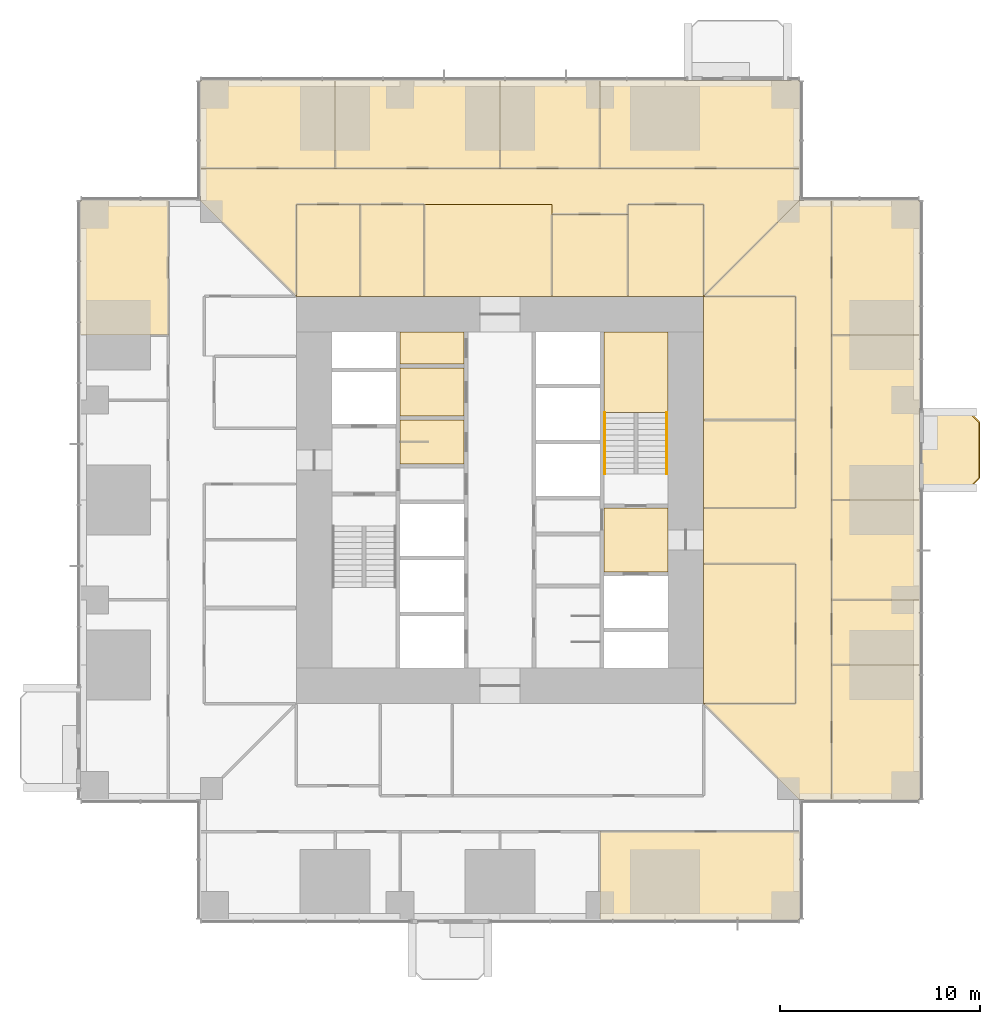
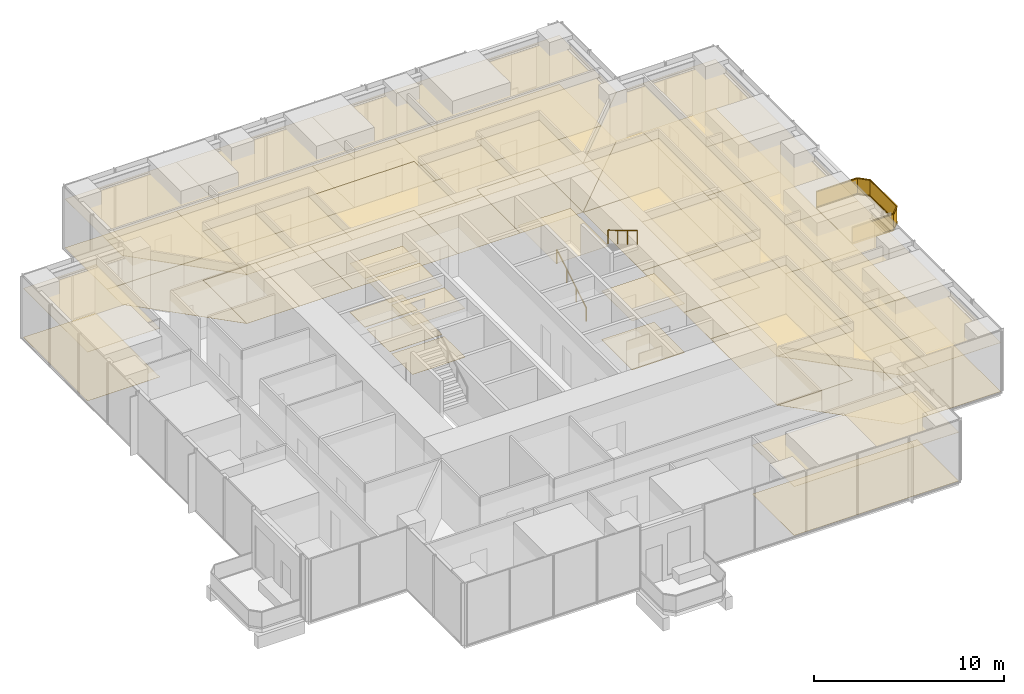
# One storey, part 16 of 18: 52 coverings, 3 railings.
"""IFC4 building model written with IfcOpenShell, lengths in metres."""

from ifc_helpers import new_model, si_unit, direction, frame, origin, origin_2d, place, context, subcontext, project, spatial, polyline, rectangle, circle, outline, extrude, material, layer, layer_set, type_object, element, save


model = new_model("IFC4")

# Units and contexts
model_context = context("Model", 3, precision=1e-05, world=origin(), true_north=direction((0.0, 1.0)))
body_context = subcontext(model_context, "Body", "Model", "MODEL_VIEW")
ifc_project = project(units=[si_unit("LENGTHUNIT", "METRE"), si_unit("AREAUNIT", "SQUARE_METRE"), si_unit("VOLUMEUNIT", "CUBIC_METRE"), si_unit("PLANEANGLEUNIT", "RADIAN"), si_unit("MASSUNIT", "GRAM", prefix="KILO")], contexts=[model_context])

# Site, building, storey
site_placement = place(None, origin())
site = spatial("IfcSite", under=ifc_project, at=site_placement, CompositionType="ELEMENT")
building_placement = place(site_placement, origin())
building = spatial("IfcBuilding", under=site, at=building_placement, Name="Svetlomir Tower", CompositionType="ELEMENT")
storey_placement = place(building_placement, frame((0.0, 0.0, 78.5)))
storey = spatial("IfcBuildingStorey", under=building, at=storey_placement, Name="L18", CompositionType="ELEMENT", Elevation=78.5)

# Railing
ifc_material_1 = material(Name="Bronze anodised aluminium and laminated glass", Category="aluminium")
railing_type_1 = type_object("IfcRailingType", Name="BALCONY GUARD GR1 1100", PredefinedType="GUARDRAIL", material=ifc_material_1)
railing_1_placement = place(storey_placement, frame((42.0, 21.60009765625, 0.0)))
element("IfcRailing", 1, at=railing_1_placement, inside=storey, type_object=railing_type_1, Name="Balcony guard E L18", PredefinedType="GUARDRAIL", context=body_context, shape_type="SweptSolid", body=[
    extrude(rectangle(XDim=0.06005859375, YDim=0.10009765625, at=origin_2d()), frame((0.0, 0.0, 0.050048828125), z_axis=(1.0, 0.0, 0.0), x_axis=(0.0, 1.0, 0.0)), (0.0, 0.0, 1.0), 2.5),
    extrude(rectangle(XDim=0.021484375, YDim=0.960205078125, at=origin_2d()), frame((0.0, 0.0, 0.580078125), z_axis=(1.0, 0.0, 0.0), x_axis=(0.0, 1.0, 0.0)), (0.0, 0.0, 1.0), 2.5),
    extrude(rectangle(XDim=0.06005859375, YDim=0.0400390625, at=origin_2d()), frame((0.0, 0.0, 1.080078125), z_axis=(1.0, 0.0, 0.0), x_axis=(0.0, 1.0, 0.0)), (0.0, 0.0, 1.0), 2.5),
    extrude(rectangle(XDim=0.06005859375, YDim=0.10009765625, at=origin_2d()), frame((2.5, 0.0, 0.050048828125), z_axis=(0.707106781187, 0.707106781187, 0.0), x_axis=(-0.707106781187, 0.707106781187, 0.0)), (0.0, 0.0, 1.0), 0.70703125),
    extrude(rectangle(XDim=0.021484375, YDim=0.960205078125, at=origin_2d()), frame((2.5, 0.0, 0.580078125), z_axis=(0.707106781187, 0.707106781187, 0.0), x_axis=(-0.707106781187, 0.707106781187, 0.0)), (0.0, 0.0, 1.0), 0.70703125),
    extrude(rectangle(XDim=0.06005859375, YDim=0.0400390625, at=origin_2d()), frame((2.5, 0.0, 1.080078125), z_axis=(0.707106781187, 0.707106781187, 0.0), x_axis=(-0.707106781187, 0.707106781187, 0.0)), (0.0, 0.0, 1.0), 0.70703125),
    extrude(rectangle(XDim=0.06005859375, YDim=0.10009765625, at=origin_2d()), frame((3.0, 0.5, 0.050048828125), z_axis=(0.0, 1.0, 0.0), x_axis=(-1.0, 0.0, 0.0)), (0.0, 0.0, 1.0), 2.7998046875),
    extrude(rectangle(XDim=0.021484375, YDim=0.960205078125, at=origin_2d()), frame((3.0, 0.5, 0.580078125), z_axis=(0.0, 1.0, 0.0), x_axis=(-1.0, 0.0, 0.0)), (0.0, 0.0, 1.0), 2.7998046875),
    extrude(rectangle(XDim=0.06005859375, YDim=0.0400390625, at=origin_2d()), frame((3.0, 0.5, 1.080078125), z_axis=(0.0, 1.0, 0.0), x_axis=(-1.0, 0.0, 0.0)), (0.0, 0.0, 1.0), 2.7998046875),
    extrude(rectangle(XDim=0.06005859375, YDim=0.10009765625, at=origin_2d()), frame((3.0, 3.2998046875, 0.050048828125), z_axis=(-0.707106781187, 0.707106781187, 0.0), x_axis=(-0.707106781187, -0.707106781187, 0.0)), (0.0, 0.0, 1.0), 0.70703125),
    extrude(rectangle(XDim=0.021484375, YDim=0.960205078125, at=origin_2d()), frame((3.0, 3.2998046875, 0.580078125), z_axis=(-0.707106781187, 0.707106781187, 0.0), x_axis=(-0.707106781187, -0.707106781187, 0.0)), (0.0, 0.0, 1.0), 0.70703125),
    extrude(rectangle(XDim=0.06005859375, YDim=0.0400390625, at=origin_2d()), frame((3.0, 3.2998046875, 1.080078125), z_axis=(-0.707106781187, 0.707106781187, 0.0), x_axis=(-0.707106781187, -0.707106781187, 0.0)), (0.0, 0.0, 1.0), 0.70703125),
    extrude(rectangle(XDim=0.06005859375, YDim=0.10009765625, at=origin_2d()), frame((2.5, 3.7998046875, 0.050048828125), z_axis=(-1.0, 0.0, 0.0), x_axis=(0.0, -1.0, 0.0)), (0.0, 0.0, 1.0), 2.5),
    extrude(rectangle(XDim=0.021484375, YDim=0.960205078125, at=origin_2d()), frame((2.5, 3.7998046875, 0.580078125), z_axis=(-1.0, 0.0, 0.0), x_axis=(0.0, -1.0, 0.0)), (0.0, 0.0, 1.0), 2.5),
    extrude(rectangle(XDim=0.06005859375, YDim=0.0400390625, at=origin_2d()), frame((2.5, 3.7998046875, 1.080078125), z_axis=(-1.0, 0.0, 0.0), x_axis=(0.0, -1.0, 0.0)), (0.0, 0.0, 1.0), 2.5),
])

# Coverings
ifc_material_2 = material(Name="Granite paving slabs on pedestals", Category="masonry")
ifc_layer_1 = layer(ifc_material_2, 0.0400390625)
ifc_layer_set_1 = layer_set([ifc_layer_1], Name="Granite paving slabs on pedestals")
covering_type_1 = type_object("IfcCoveringType", Name="BALCONY PAVING 40", PredefinedType="USERDEFINED", material=ifc_layer_set_1)
covering_1_placement = place(storey_placement, origin())
element("IfcCovering", 2, at=covering_1_placement, inside=storey, type_object=covering_type_1, Name="Balcony paving E L18", ObjectType="BALCONY PAVING", PredefinedType="USERDEFINED", context=body_context, shape_type="SweptSolid", body=[
    extrude(outline(polyline([(42.0, 21.60009765625), (44.5, 21.60009765625), (45.0, 22.10009765625), (45.0, 24.89990234375), (44.5, 25.39990234375), (42.0, 25.39990234375), (42.0, 21.60009765625)])), origin(), (0.0, 0.0, 1.0), 0.0400390625),
])
ifc_material_3 = material(Name="Carpet tile", Category="textile")
ifc_layer_2 = layer(ifc_material_3, 0.010009765625)
ifc_layer_set_2 = layer_set([ifc_layer_2], Name="Carpet tile")
covering_type_2 = type_object("IfcCoveringType", Name="CARPET TILE FLOOR 10", PredefinedType="FLOORING", material=ifc_layer_set_2)
covering_2_placement = place(storey_placement, origin())
element("IfcCovering", 3, at=covering_2_placement, inside=storey, type_object=covering_type_2, Name="Floor finish L18-18", PredefinedType="FLOORING", context=body_context, shape_type="SweptSolid", body=[
    extrude(outline(polyline([(31.199951171875, 20.60009765625), (35.800048828125, 20.60009765625), (35.800048828125, 25.0), (31.199951171875, 25.0), (31.199951171875, 20.60009765625)])), origin(), (0.0, 0.0, 1.0), 0.010009765625),
])
covering_3_placement = place(storey_placement, origin())
element("IfcCovering", 4, at=covering_3_placement, inside=storey, type_object=covering_type_2, Name="Floor finish L18-19", PredefinedType="FLOORING", context=body_context, shape_type="SweptSolid", body=[
    extrude(outline(polyline([(31.199951171875, 25.0), (35.800048828125, 25.0), (35.800048828125, 31.199951171875), (31.199951171875, 31.199951171875), (31.199951171875, 25.0)])), origin(), (0.0, 0.0, 1.0), 0.010009765625),
])
covering_4_placement = place(storey_placement, origin())
element("IfcCovering", 5, at=covering_4_placement, inside=storey, type_object=covering_type_2, Name="Floor finish L18-20", PredefinedType="FLOORING", context=body_context, shape_type="SweptSolid", body=[
    extrude(outline(polyline([(37.60009765625, 6.0), (42.0, 6.0), (42.0, 12.75), (37.60009765625, 12.75), (37.60009765625, 6.0)])), origin(), (0.0, 0.0, 1.0), 0.010009765625),
])
covering_5_placement = place(storey_placement, origin())
element("IfcCovering", 6, at=covering_5_placement, inside=storey, type_object=covering_type_2, Name="Floor finish L18-21", PredefinedType="FLOORING", context=body_context, shape_type="SweptSolid", body=[
    extrude(outline(polyline([(37.60009765625, 16.0), (42.0, 16.0), (42.0, 21.0), (37.60009765625, 21.0), (37.60009765625, 16.0)])), origin(), (0.0, 0.0, 1.0), 0.010009765625),
])
covering_6_placement = place(storey_placement, origin())
element("IfcCovering", 7, at=covering_6_placement, inside=storey, type_object=covering_type_2, Name="Floor finish L18-22", PredefinedType="FLOORING", context=body_context, shape_type="SweptSolid", body=[
    extrude(outline(polyline([(37.60009765625, 29.25), (42.0, 29.25), (42.0, 36.0), (37.60009765625, 36.0), (37.60009765625, 29.25)])), origin(), (0.0, 0.0, 1.0), 0.010009765625),
])
covering_7_placement = place(storey_placement, origin())
element("IfcCovering", 8, at=covering_7_placement, inside=storey, type_object=covering_type_2, Name="Floor finish L18-23", PredefinedType="FLOORING", context=body_context, shape_type="SweptSolid", body=[
    extrude(outline(polyline([(10.800048828125, 31.199951171875), (14.0, 31.199951171875), (14.0, 35.800048828125), (10.800048828125, 35.800048828125), (10.800048828125, 31.199951171875)])), origin(), (0.0, 0.0, 1.0), 0.010009765625),
])
covering_8_placement = place(storey_placement, origin())
element("IfcCovering", 9, at=covering_8_placement, inside=storey, type_object=covering_type_2, Name="Floor finish L18-24", PredefinedType="FLOORING", context=body_context, shape_type="SweptSolid", body=[
    extrude(outline(polyline([(14.0, 31.199951171875), (17.199951171875, 31.199951171875), (17.199951171875, 35.800048828125), (14.0, 35.800048828125), (14.0, 31.199951171875)])), origin(), (0.0, 0.0, 1.0), 0.010009765625),
])
covering_9_placement = place(storey_placement, origin())
element("IfcCovering", 10, at=covering_9_placement, inside=storey, type_object=covering_type_2, Name="Floor finish L18-25", PredefinedType="FLOORING", context=body_context, shape_type="SweptSolid", body=[
    extrude(outline(polyline([(23.60009765625, 31.199951171875), (27.39990234375, 31.199951171875), (27.39990234375, 35.300048828125), (23.60009765625, 35.300048828125), (23.60009765625, 31.199951171875)])), origin(), (0.0, 0.0, 1.0), 0.010009765625),
])
covering_10_placement = place(storey_placement, origin())
element("IfcCovering", 11, at=covering_10_placement, inside=storey, type_object=covering_type_2, Name="Floor finish L18-26", PredefinedType="FLOORING", context=body_context, shape_type="SweptSolid", body=[
    extrude(outline(polyline([(27.39990234375, 31.199951171875), (31.199951171875, 31.199951171875), (31.199951171875, 35.800048828125), (27.39990234375, 35.800048828125), (27.39990234375, 31.199951171875)])), origin(), (0.0, 0.0, 1.0), 0.010009765625),
])
covering_11_placement = place(storey_placement, origin())
element("IfcCovering", 12, at=covering_11_placement, inside=storey, type_object=covering_type_2, Name="Floor finish L18-27", PredefinedType="FLOORING", context=body_context, shape_type="SweptSolid", body=[
    extrude(outline(polyline([(6.0, 37.60009765625), (12.75, 37.60009765625), (12.75, 42.0), (6.0, 42.0), (6.0, 37.60009765625)])), origin(), (0.0, 0.0, 1.0), 0.010009765625),
])
covering_12_placement = place(storey_placement, origin())
element("IfcCovering", 13, at=covering_12_placement, inside=storey, type_object=covering_type_2, Name="Floor finish L18-28", PredefinedType="FLOORING", context=body_context, shape_type="SweptSolid", body=[
    extrude(outline(polyline([(21.0, 37.60009765625), (26.0, 37.60009765625), (26.0, 42.0), (21.0, 42.0), (21.0, 37.60009765625)])), origin(), (0.0, 0.0, 1.0), 0.010009765625),
])
covering_13_placement = place(storey_placement, origin())
element("IfcCovering", 14, at=covering_13_placement, inside=storey, type_object=covering_type_2, Name="Floor finish L18-35", PredefinedType="FLOORING", context=body_context, shape_type="SweptSolid", body=[
    extrude(outline(polyline([(31.199951171875, 20.60009765625), (35.800048828125, 20.60009765625), (35.800048828125, 31.199951171875), (31.199951171875, 31.199951171875), (36.0, 36.0), (37.60009765625, 36.0), (37.60009765625, 6.0), (36.0, 6.0), (31.199951171875, 10.800048828125), (35.800048828125, 10.800048828125), (35.800048828125, 17.800048828125), (31.199951171875, 17.800048828125), (31.199951171875, 20.60009765625)])), origin(), (0.0, 0.0, 1.0), 0.010009765625),
])
covering_14_placement = place(storey_placement, origin())
element("IfcCovering", 15, at=covering_14_placement, inside=storey, type_object=covering_type_2, Name="Floor finish L18-36", PredefinedType="FLOORING", context=body_context, shape_type="SweptSolid", body=[
    extrude(outline(polyline([(6.0, 37.60009765625), (36.0, 37.60009765625), (36.0, 36.0), (31.199951171875, 31.199951171875), (31.199951171875, 35.800048828125), (27.39990234375, 35.800048828125), (27.39990234375, 35.300048828125), (23.60009765625, 35.300048828125), (23.60009765625, 35.800048828125), (10.800048828125, 35.800048828125), (10.800048828125, 31.199951171875), (6.0, 36.0), (6.0, 37.60009765625)])), origin(), (0.0, 0.0, 1.0), 0.010009765625),
])
covering_15_placement = place(storey_placement, origin())
element("IfcCovering", 16, at=covering_15_placement, inside=storey, type_object=covering_type_2, Name="Floor finish L18-39", PredefinedType="FLOORING", context=body_context, shape_type="SweptSolid", body=[
    extrude(outline(polyline([(26.0, 0.0), (26.0, 4.39990234375), (36.0, 4.39990234375), (36.0, 0.0), (26.0, 0.0)])), origin(), (0.0, 0.0, 1.0), 0.010009765625),
])
covering_16_placement = place(storey_placement, origin())
element("IfcCovering", 17, at=covering_16_placement, inside=storey, type_object=covering_type_2, Name="Floor finish L18-41", PredefinedType="FLOORING", context=body_context, shape_type="SweptSolid", body=[
    extrude(outline(polyline([(42.0, 21.0), (37.60009765625, 21.0), (37.60009765625, 29.25), (42.0, 29.25), (42.0, 21.0)])), origin(), (0.0, 0.0, 1.0), 0.010009765625),
])
covering_17_placement = place(storey_placement, origin())
element("IfcCovering", 18, at=covering_17_placement, inside=storey, type_object=covering_type_2, Name="Floor finish L18-42", PredefinedType="FLOORING", context=body_context, shape_type="SweptSolid", body=[
    extrude(outline(polyline([(42.0, 12.75), (37.60009765625, 12.75), (37.60009765625, 16.0), (42.0, 16.0), (42.0, 12.75)])), origin(), (0.0, 0.0, 1.0), 0.010009765625),
])
covering_18_placement = place(storey_placement, origin())
element("IfcCovering", 19, at=covering_18_placement, inside=storey, type_object=covering_type_2, Name="Floor finish L18-43", PredefinedType="FLOORING", context=body_context, shape_type="SweptSolid", body=[
    extrude(outline(polyline([(31.199951171875, 10.800048828125), (31.199951171875, 17.800048828125), (35.800048828125, 17.800048828125), (35.800048828125, 10.800048828125), (31.199951171875, 10.800048828125)])), origin(), (0.0, 0.0, 1.0), 0.010009765625),
])
covering_19_placement = place(storey_placement, origin())
element("IfcCovering", 20, at=covering_19_placement, inside=storey, type_object=covering_type_2, Name="Floor finish L18-44", PredefinedType="FLOORING", context=body_context, shape_type="SweptSolid", body=[
    extrude(outline(polyline([(12.75, 37.60009765625), (12.75, 42.0), (21.0, 42.0), (21.0, 37.60009765625), (12.75, 37.60009765625)])), origin(), (0.0, 0.0, 1.0), 0.010009765625),
])
covering_20_placement = place(storey_placement, origin())
element("IfcCovering", 21, at=covering_20_placement, inside=storey, type_object=covering_type_2, Name="Floor finish L18-45", PredefinedType="FLOORING", context=body_context, shape_type="SweptSolid", body=[
    extrude(outline(polyline([(26.0, 37.60009765625), (26.0, 42.0), (36.0, 42.0), (36.0, 37.60009765625), (26.0, 37.60009765625)])), origin(), (0.0, 0.0, 1.0), 0.010009765625),
])
covering_21_placement = place(storey_placement, origin())
element("IfcCovering", 22, at=covering_21_placement, inside=storey, type_object=covering_type_2, Name="Floor finish L18-46", PredefinedType="FLOORING", context=body_context, shape_type="SweptSolid", body=[
    extrude(outline(polyline([(17.199951171875, 31.199951171875), (17.199951171875, 35.800048828125), (23.60009765625, 35.800048828125), (23.60009765625, 31.199951171875), (17.199951171875, 31.199951171875)])), origin(), (0.0, 0.0, 1.0), 0.010009765625),
])
covering_22_placement = place(storey_placement, origin())
element("IfcCovering", 23, at=covering_22_placement, inside=storey, type_object=covering_type_2, Name="Floor finish L18-49", PredefinedType="FLOORING", context=body_context, shape_type="SweptSolid", body=[
    extrude(outline(polyline([(0.0, 36.0), (4.39990234375, 36.0), (4.39990234375, 29.25), (0.0, 29.25), (0.0, 36.0)])), origin(), (0.0, 0.0, 1.0), 0.010009765625),
])
ifc_material_4 = material(Name="Ceramic floor tile", Category="ceramic")
ifc_layer_3 = layer(ifc_material_4, 0.014892578125)
ifc_layer_set_3 = layer_set([ifc_layer_3], Name="Ceramic floor tile")
covering_type_3 = type_object("IfcCoveringType", Name="CERAMIC TILE FLOOR 15", PredefinedType="FLOORING", material=ifc_layer_set_3)
covering_23_placement = place(storey_placement, origin())
element("IfcCovering", 24, at=covering_23_placement, inside=storey, type_object=covering_type_3, Name="Floor finish L18-04", PredefinedType="FLOORING", context=body_context, shape_type="SweptSolid", body=[
    extrude(outline(polyline([(16.0, 22.800048828125), (19.199951171875, 22.800048828125), (19.199951171875, 25.0), (16.0, 25.0), (16.0, 22.800048828125)])), origin(), (0.0, 0.0, 1.0), 0.014892578125),
])
covering_24_placement = place(storey_placement, origin())
element("IfcCovering", 25, at=covering_24_placement, inside=storey, type_object=covering_type_3, Name="Floor finish L18-05", PredefinedType="FLOORING", context=body_context, shape_type="SweptSolid", body=[
    extrude(outline(polyline([(16.0, 25.199951171875), (19.199951171875, 25.199951171875), (19.199951171875, 27.60009765625), (16.0, 27.60009765625), (16.0, 25.199951171875)])), origin(), (0.0, 0.0, 1.0), 0.014892578125),
])

# Railings
ifc_material_5 = material(Name="Stainless steel", Category="steel")
railing_type_2 = type_object("IfcRailingType", Name="HANDRAIL HR1 900", PredefinedType="HANDRAIL", material=ifc_material_5)
railing_2_placement = place(storey_placement, frame((26.25, 22.300048828125, 0.166748046875)))
element("IfcRailing", 26, at=railing_2_placement, inside=storey, type_object=railing_type_2, Name="Handrail S2 flight 1 L18", PredefinedType="HANDRAIL", context=body_context, shape_type="SweptSolid", body=[
    extrude(circle(Radius=0.02392578125, at=origin_2d()), frame((0.0, 0.0, 0.8759765625), z_axis=(0.0, 0.859290745958, 0.51148745235), x_axis=(-1.0, 0.0, 0.0)), (0.0, 0.0, 1.0), 3.584228515625),
    extrude(circle(Radius=0.02099609375, at=origin_2d()), origin(), (0.0, 0.0, 1.0), 0.851806640625),
    extrude(circle(Radius=0.02099609375, at=origin_2d()), frame((0.0, 1.026611328125, 0.611083984375)), (0.0, 0.0, 1.0), 0.851806640625),
    extrude(circle(Radius=0.02099609375, at=origin_2d()), frame((0.0, 2.05322265625, 1.22216796875)), (0.0, 0.0, 1.0), 0.851806640625),
    extrude(circle(Radius=0.02099609375, at=origin_2d()), frame((0.0, 3.079833984375, 1.833251953125)), (0.0, 0.0, 1.0), 0.851806640625),
])
railing_3_placement = place(storey_placement, frame((29.35009765625, 25.3798828125, 2.166748046875)))
element("IfcRailing", 27, at=railing_3_placement, inside=storey, type_object=railing_type_2, Name="Handrail S2 flight 2 L18", PredefinedType="HANDRAIL", context=body_context, shape_type="SweptSolid", body=[
    extrude(circle(Radius=0.02392578125, at=origin_2d()), frame((0.0, 0.0, 0.8759765625), z_axis=(0.0, -0.859290745958, 0.51148745235), x_axis=(1.0, 0.0, 0.0)), (0.0, 0.0, 1.0), 3.584228515625),
    extrude(circle(Radius=0.02099609375, at=origin_2d()), origin(), (0.0, 0.0, 1.0), 0.851806640625),
    extrude(circle(Radius=0.02099609375, at=origin_2d()), frame((0.0, -1.026611328125, 0.611083984375)), (0.0, 0.0, 1.0), 0.851806640625),
    extrude(circle(Radius=0.02099609375, at=origin_2d()), frame((0.0, -2.05322265625, 1.22216796875)), (0.0, 0.0, 1.0), 0.851806640625),
    extrude(circle(Radius=0.02099609375, at=origin_2d()), frame((0.0, -3.079833984375, 1.833251953125)), (0.0, 0.0, 1.0), 0.851806640625),
])

# Coverings
ifc_material_6 = material(Name="Moisture resistant plasterboard ceiling", Category="gypsum")
ifc_layer_4 = layer(ifc_material_6, 0.012451171875)
ifc_layer_set_4 = layer_set([ifc_layer_4], Name="Moisture resistant plasterboard ceiling")
covering_type_4 = type_object("IfcCoveringType", Name="MOISTURE RESISTANT CEILING 12.5", PredefinedType="CEILING", material=ifc_layer_set_4)
covering_25_placement = place(storey_placement, frame((0.0, 0.0, 3.137451171875)))
element("IfcCovering", 28, at=covering_25_placement, inside=storey, type_object=covering_type_4, Name="Ceiling L18-04", PredefinedType="CEILING", context=body_context, shape_type="SweptSolid", body=[
    extrude(outline(polyline([(16.0, 22.800048828125), (19.199951171875, 22.800048828125), (19.199951171875, 25.0), (16.0, 25.0), (16.0, 22.800048828125)])), origin(), (0.0, 0.0, 1.0), 0.012451171875),
])
covering_26_placement = place(storey_placement, frame((0.0, 0.0, 3.137451171875)))
element("IfcCovering", 29, at=covering_26_placement, inside=storey, type_object=covering_type_4, Name="Ceiling L18-05", PredefinedType="CEILING", context=body_context, shape_type="SweptSolid", body=[
    extrude(outline(polyline([(16.0, 25.199951171875), (19.199951171875, 25.199951171875), (19.199951171875, 27.60009765625), (16.0, 27.60009765625), (16.0, 25.199951171875)])), origin(), (0.0, 0.0, 1.0), 0.012451171875),
])
ifc_material_7 = material(Name="Gypsum plasterboard ceiling", Category="gypsum")
ifc_layer_5 = layer(ifc_material_7, 0.014892578125)
ifc_layer_set_5 = layer_set([ifc_layer_5], Name="Gypsum plasterboard ceiling")
covering_type_5 = type_object("IfcCoveringType", Name="PLASTERBOARD CEILING 15", PredefinedType="CEILING", material=ifc_layer_set_5)
covering_27_placement = place(storey_placement, frame((0.0, 0.0, 3.135009765625)))
element("IfcCovering", 30, at=covering_27_placement, inside=storey, type_object=covering_type_5, Name="Ceiling L18-06", PredefinedType="CEILING", context=body_context, shape_type="SweptSolid", body=[
    extrude(outline(polyline([(16.0, 27.800048828125), (19.199951171875, 27.800048828125), (19.199951171875, 29.39990234375), (16.0, 29.39990234375), (16.0, 27.800048828125)])), origin(), (0.0, 0.0, 1.0), 0.014892578125),
])
covering_28_placement = place(storey_placement, frame((0.0, 0.0, 3.135009765625)))
element("IfcCovering", 31, at=covering_28_placement, inside=storey, type_object=covering_type_5, Name="Ceiling L18-11", PredefinedType="CEILING", context=body_context, shape_type="SweptSolid", body=[
    extrude(outline(polyline([(26.199951171875, 17.39990234375), (29.39990234375, 17.39990234375), (29.39990234375, 20.60009765625), (26.199951171875, 20.60009765625), (26.199951171875, 17.39990234375)])), origin(), (0.0, 0.0, 1.0), 0.014892578125),
])
ifc_material_8 = material(Name="Studded rubber floor finish", Category="rubber")
ifc_layer_6 = layer(ifc_material_8, 0.006103515625)
ifc_layer_set_6 = layer_set([ifc_layer_6], Name="Studded rubber floor finish")
covering_type_6 = type_object("IfcCoveringType", Name="RUBBER LANDING FINISH 6", PredefinedType="FLOORING", material=ifc_layer_set_6)
covering_29_placement = place(storey_placement, frame((0.0, 0.0, 2.0)))
element("IfcCovering", 32, at=covering_29_placement, inside=storey, type_object=covering_type_6, Name="Stair S2 landing finish L18", PredefinedType="FLOORING", context=body_context, shape_type="SweptSolid", body=[
    extrude(outline(polyline([(26.199951171875, 25.3798828125), (29.39990234375, 25.3798828125), (29.39990234375, 29.39990234375), (26.199951171875, 29.39990234375), (26.199951171875, 25.3798828125)])), origin(), (0.0, 0.0, 1.0), 0.006103515625),
])
ifc_material_9 = material(Name="Mineral fibre ceiling tile", Category="mineral")
ifc_layer_7 = layer(ifc_material_9, 0.02001953125)
ifc_layer_set_7 = layer_set([ifc_layer_7], Name="Mineral fibre ceiling tile")
covering_type_7 = type_object("IfcCoveringType", Name="SUSPENDED CEILING 20", PredefinedType="CEILING", material=ifc_layer_set_7)
covering_30_placement = place(storey_placement, frame((0.0, 0.0, 3.1298828125)))
element("IfcCovering", 33, at=covering_30_placement, inside=storey, type_object=covering_type_7, Name="Ceiling L18-18", PredefinedType="CEILING", context=body_context, shape_type="SweptSolid", body=[
    extrude(outline(polyline([(31.199951171875, 20.60009765625), (35.800048828125, 20.60009765625), (35.800048828125, 25.0), (31.199951171875, 25.0), (31.199951171875, 20.60009765625)])), origin(), (0.0, 0.0, 1.0), 0.02001953125),
])
covering_31_placement = place(storey_placement, frame((0.0, 0.0, 3.1298828125)))
element("IfcCovering", 34, at=covering_31_placement, inside=storey, type_object=covering_type_7, Name="Ceiling L18-19", PredefinedType="CEILING", context=body_context, shape_type="SweptSolid", body=[
    extrude(outline(polyline([(31.199951171875, 25.0), (35.800048828125, 25.0), (35.800048828125, 31.199951171875), (31.199951171875, 31.199951171875), (31.199951171875, 25.0)])), origin(), (0.0, 0.0, 1.0), 0.02001953125),
])
covering_32_placement = place(storey_placement, frame((0.0, 0.0, 3.1298828125)))
element("IfcCovering", 35, at=covering_32_placement, inside=storey, type_object=covering_type_7, Name="Ceiling L18-20", PredefinedType="CEILING", context=body_context, shape_type="SweptSolid", body=[
    extrude(outline(polyline([(37.60009765625, 6.0), (42.0, 6.0), (42.0, 12.75), (37.60009765625, 12.75), (37.60009765625, 6.0)])), origin(), (0.0, 0.0, 1.0), 0.02001953125),
])
covering_33_placement = place(storey_placement, frame((0.0, 0.0, 3.1298828125)))
element("IfcCovering", 36, at=covering_33_placement, inside=storey, type_object=covering_type_7, Name="Ceiling L18-21", PredefinedType="CEILING", context=body_context, shape_type="SweptSolid", body=[
    extrude(outline(polyline([(37.60009765625, 16.0), (42.0, 16.0), (42.0, 21.0), (37.60009765625, 21.0), (37.60009765625, 16.0)])), origin(), (0.0, 0.0, 1.0), 0.02001953125),
])
covering_34_placement = place(storey_placement, frame((0.0, 0.0, 3.1298828125)))
element("IfcCovering", 37, at=covering_34_placement, inside=storey, type_object=covering_type_7, Name="Ceiling L18-22", PredefinedType="CEILING", context=body_context, shape_type="SweptSolid", body=[
    extrude(outline(polyline([(37.60009765625, 29.25), (42.0, 29.25), (42.0, 36.0), (37.60009765625, 36.0), (37.60009765625, 29.25)])), origin(), (0.0, 0.0, 1.0), 0.02001953125),
])
covering_35_placement = place(storey_placement, frame((0.0, 0.0, 3.1298828125)))
element("IfcCovering", 38, at=covering_35_placement, inside=storey, type_object=covering_type_7, Name="Ceiling L18-23", PredefinedType="CEILING", context=body_context, shape_type="SweptSolid", body=[
    extrude(outline(polyline([(10.800048828125, 31.199951171875), (14.0, 31.199951171875), (14.0, 35.800048828125), (10.800048828125, 35.800048828125), (10.800048828125, 31.199951171875)])), origin(), (0.0, 0.0, 1.0), 0.02001953125),
])
covering_36_placement = place(storey_placement, frame((0.0, 0.0, 3.1298828125)))
element("IfcCovering", 39, at=covering_36_placement, inside=storey, type_object=covering_type_7, Name="Ceiling L18-24", PredefinedType="CEILING", context=body_context, shape_type="SweptSolid", body=[
    extrude(outline(polyline([(14.0, 31.199951171875), (17.199951171875, 31.199951171875), (17.199951171875, 35.800048828125), (14.0, 35.800048828125), (14.0, 31.199951171875)])), origin(), (0.0, 0.0, 1.0), 0.02001953125),
])
covering_37_placement = place(storey_placement, frame((0.0, 0.0, 3.1298828125)))
element("IfcCovering", 40, at=covering_37_placement, inside=storey, type_object=covering_type_7, Name="Ceiling L18-25", PredefinedType="CEILING", context=body_context, shape_type="SweptSolid", body=[
    extrude(outline(polyline([(23.60009765625, 31.199951171875), (27.39990234375, 31.199951171875), (27.39990234375, 35.300048828125), (23.60009765625, 35.300048828125), (23.60009765625, 31.199951171875)])), origin(), (0.0, 0.0, 1.0), 0.02001953125),
])
covering_38_placement = place(storey_placement, frame((0.0, 0.0, 3.1298828125)))
element("IfcCovering", 41, at=covering_38_placement, inside=storey, type_object=covering_type_7, Name="Ceiling L18-26", PredefinedType="CEILING", context=body_context, shape_type="SweptSolid", body=[
    extrude(outline(polyline([(27.39990234375, 31.199951171875), (31.199951171875, 31.199951171875), (31.199951171875, 35.800048828125), (27.39990234375, 35.800048828125), (27.39990234375, 31.199951171875)])), origin(), (0.0, 0.0, 1.0), 0.02001953125),
])
covering_39_placement = place(storey_placement, frame((0.0, 0.0, 3.1298828125)))
element("IfcCovering", 42, at=covering_39_placement, inside=storey, type_object=covering_type_7, Name="Ceiling L18-27", PredefinedType="CEILING", context=body_context, shape_type="SweptSolid", body=[
    extrude(outline(polyline([(6.0, 37.60009765625), (12.75, 37.60009765625), (12.75, 42.0), (6.0, 42.0), (6.0, 37.60009765625)])), origin(), (0.0, 0.0, 1.0), 0.02001953125),
])
covering_40_placement = place(storey_placement, frame((0.0, 0.0, 3.1298828125)))
element("IfcCovering", 43, at=covering_40_placement, inside=storey, type_object=covering_type_7, Name="Ceiling L18-28", PredefinedType="CEILING", context=body_context, shape_type="SweptSolid", body=[
    extrude(outline(polyline([(21.0, 37.60009765625), (26.0, 37.60009765625), (26.0, 42.0), (21.0, 42.0), (21.0, 37.60009765625)])), origin(), (0.0, 0.0, 1.0), 0.02001953125),
])
covering_41_placement = place(storey_placement, frame((0.0, 0.0, 3.1298828125)))
element("IfcCovering", 44, at=covering_41_placement, inside=storey, type_object=covering_type_7, Name="Ceiling L18-35", PredefinedType="CEILING", context=body_context, shape_type="SweptSolid", body=[
    extrude(outline(polyline([(31.199951171875, 20.60009765625), (35.800048828125, 20.60009765625), (35.800048828125, 31.199951171875), (31.199951171875, 31.199951171875), (36.0, 36.0), (37.60009765625, 36.0), (37.60009765625, 6.0), (36.0, 6.0), (31.199951171875, 10.800048828125), (35.800048828125, 10.800048828125), (35.800048828125, 17.800048828125), (31.199951171875, 17.800048828125), (31.199951171875, 20.60009765625)])), origin(), (0.0, 0.0, 1.0), 0.02001953125),
])
covering_42_placement = place(storey_placement, frame((0.0, 0.0, 3.1298828125)))
element("IfcCovering", 45, at=covering_42_placement, inside=storey, type_object=covering_type_7, Name="Ceiling L18-36", PredefinedType="CEILING", context=body_context, shape_type="SweptSolid", body=[
    extrude(outline(polyline([(6.0, 37.60009765625), (36.0, 37.60009765625), (36.0, 36.0), (31.199951171875, 31.199951171875), (31.199951171875, 35.800048828125), (27.39990234375, 35.800048828125), (27.39990234375, 35.300048828125), (23.60009765625, 35.300048828125), (23.60009765625, 35.800048828125), (10.800048828125, 35.800048828125), (10.800048828125, 31.199951171875), (6.0, 36.0), (6.0, 37.60009765625)])), origin(), (0.0, 0.0, 1.0), 0.02001953125),
])
covering_43_placement = place(storey_placement, frame((0.0, 0.0, 3.1298828125)))
element("IfcCovering", 46, at=covering_43_placement, inside=storey, type_object=covering_type_7, Name="Ceiling L18-39", PredefinedType="CEILING", context=body_context, shape_type="SweptSolid", body=[
    extrude(outline(polyline([(26.0, 0.0), (26.0, 4.39990234375), (36.0, 4.39990234375), (36.0, 0.0), (26.0, 0.0)])), origin(), (0.0, 0.0, 1.0), 0.02001953125),
])
covering_44_placement = place(storey_placement, frame((0.0, 0.0, 3.1298828125)))
element("IfcCovering", 47, at=covering_44_placement, inside=storey, type_object=covering_type_7, Name="Ceiling L18-41", PredefinedType="CEILING", context=body_context, shape_type="SweptSolid", body=[
    extrude(outline(polyline([(42.0, 21.0), (37.60009765625, 21.0), (37.60009765625, 29.25), (42.0, 29.25), (42.0, 21.0)])), origin(), (0.0, 0.0, 1.0), 0.02001953125),
])
covering_45_placement = place(storey_placement, frame((0.0, 0.0, 3.1298828125)))
element("IfcCovering", 48, at=covering_45_placement, inside=storey, type_object=covering_type_7, Name="Ceiling L18-42", PredefinedType="CEILING", context=body_context, shape_type="SweptSolid", body=[
    extrude(outline(polyline([(42.0, 12.75), (37.60009765625, 12.75), (37.60009765625, 16.0), (42.0, 16.0), (42.0, 12.75)])), origin(), (0.0, 0.0, 1.0), 0.02001953125),
])
covering_46_placement = place(storey_placement, frame((0.0, 0.0, 3.1298828125)))
element("IfcCovering", 49, at=covering_46_placement, inside=storey, type_object=covering_type_7, Name="Ceiling L18-43", PredefinedType="CEILING", context=body_context, shape_type="SweptSolid", body=[
    extrude(outline(polyline([(31.199951171875, 10.800048828125), (31.199951171875, 17.800048828125), (35.800048828125, 17.800048828125), (35.800048828125, 10.800048828125), (31.199951171875, 10.800048828125)])), origin(), (0.0, 0.0, 1.0), 0.02001953125),
])
covering_47_placement = place(storey_placement, frame((0.0, 0.0, 3.1298828125)))
element("IfcCovering", 50, at=covering_47_placement, inside=storey, type_object=covering_type_7, Name="Ceiling L18-44", PredefinedType="CEILING", context=body_context, shape_type="SweptSolid", body=[
    extrude(outline(polyline([(12.75, 37.60009765625), (12.75, 42.0), (21.0, 42.0), (21.0, 37.60009765625), (12.75, 37.60009765625)])), origin(), (0.0, 0.0, 1.0), 0.02001953125),
])
covering_48_placement = place(storey_placement, frame((0.0, 0.0, 3.1298828125)))
element("IfcCovering", 51, at=covering_48_placement, inside=storey, type_object=covering_type_7, Name="Ceiling L18-45", PredefinedType="CEILING", context=body_context, shape_type="SweptSolid", body=[
    extrude(outline(polyline([(26.0, 37.60009765625), (26.0, 42.0), (36.0, 42.0), (36.0, 37.60009765625), (26.0, 37.60009765625)])), origin(), (0.0, 0.0, 1.0), 0.02001953125),
])
covering_49_placement = place(storey_placement, frame((0.0, 0.0, 3.1298828125)))
element("IfcCovering", 52, at=covering_49_placement, inside=storey, type_object=covering_type_7, Name="Ceiling L18-46", PredefinedType="CEILING", context=body_context, shape_type="SweptSolid", body=[
    extrude(outline(polyline([(17.199951171875, 31.199951171875), (17.199951171875, 35.800048828125), (23.60009765625, 35.800048828125), (23.60009765625, 31.199951171875), (17.199951171875, 31.199951171875)])), origin(), (0.0, 0.0, 1.0), 0.02001953125),
])
covering_50_placement = place(storey_placement, frame((0.0, 0.0, 3.1298828125)))
element("IfcCovering", 53, at=covering_50_placement, inside=storey, type_object=covering_type_7, Name="Ceiling L18-49", PredefinedType="CEILING", context=body_context, shape_type="SweptSolid", body=[
    extrude(outline(polyline([(0.0, 36.0), (4.39990234375, 36.0), (4.39990234375, 29.25), (0.0, 29.25), (0.0, 36.0)])), origin(), (0.0, 0.0, 1.0), 0.02001953125),
])
ifc_material_10 = material(Name="Bronze-aggregate terrazzo", Category="stone")
ifc_layer_8 = layer(ifc_material_10, 0.030029296875)
ifc_layer_set_8 = layer_set([ifc_layer_8], Name="Bronze-aggregate terrazzo")
covering_type_8 = type_object("IfcCoveringType", Name="TERRAZZO FLOOR 30", PredefinedType="FLOORING", material=ifc_layer_set_8)
covering_51_placement = place(storey_placement, origin())
element("IfcCovering", 54, at=covering_51_placement, inside=storey, type_object=covering_type_8, Name="Floor finish L18-06", PredefinedType="FLOORING", context=body_context, shape_type="SweptSolid", body=[
    extrude(outline(polyline([(16.0, 27.800048828125), (19.199951171875, 27.800048828125), (19.199951171875, 29.39990234375), (16.0, 29.39990234375), (16.0, 27.800048828125)])), origin(), (0.0, 0.0, 1.0), 0.030029296875),
])
covering_52_placement = place(storey_placement, origin())
element("IfcCovering", 55, at=covering_52_placement, inside=storey, type_object=covering_type_8, Name="Floor finish L18-11", PredefinedType="FLOORING", context=body_context, shape_type="SweptSolid", body=[
    extrude(outline(polyline([(26.199951171875, 17.39990234375), (29.39990234375, 17.39990234375), (29.39990234375, 20.60009765625), (26.199951171875, 20.60009765625), (26.199951171875, 17.39990234375)])), origin(), (0.0, 0.0, 1.0), 0.030029296875),
])

save(model, "model.ifc")
